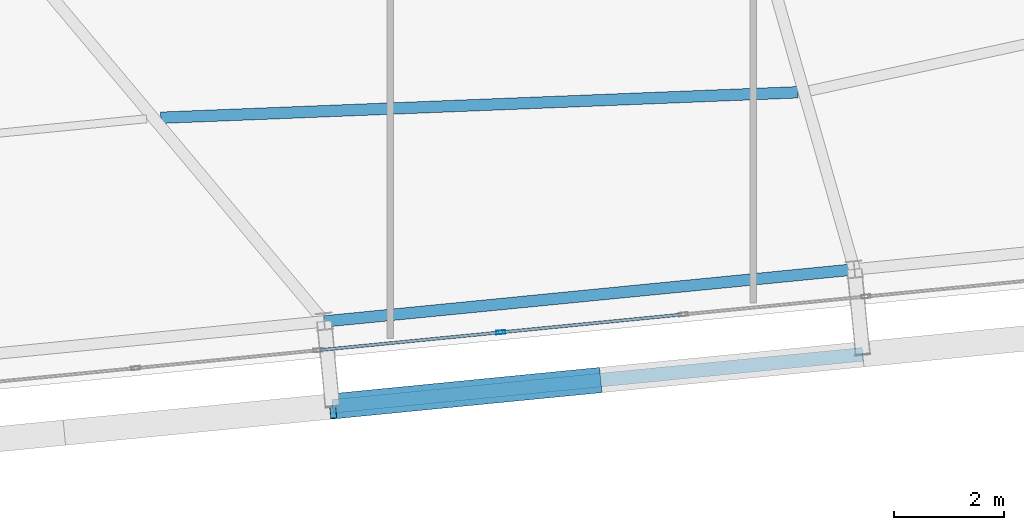
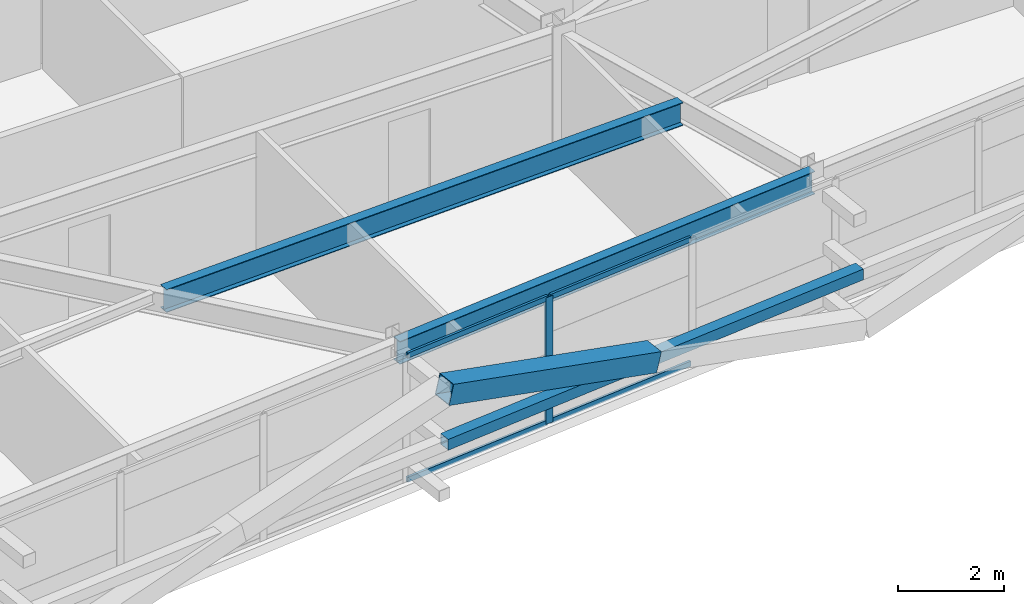
# One storey, part 11 of 52: 7 members, 2 beams, 1 element without a shape of its own.
"""IFC4 building model written with IfcOpenShell, lengths in metres."""

from ifc_helpers import new_model, si_unit, direction, frame, origin, origin_2d, place, context, subcontext, project, spatial, hollow_rectangle, i_section, extrude, source, transform, mapped, material, layer, layer_set, material_profile, profile_set, type_object, element, aggregate, save


model = new_model("IFC4")

# Units and contexts
model_context = context("Model", 3, precision=1e-05, world=origin(), true_north=direction((0.0, 1.0)))
body_context = subcontext(model_context, "Body", "Model", "MODEL_VIEW")
ifc_project = project(units=[si_unit("LENGTHUNIT", "METRE"), si_unit("AREAUNIT", "SQUARE_METRE"), si_unit("VOLUMEUNIT", "CUBIC_METRE"), si_unit("PLANEANGLEUNIT", "RADIAN"), si_unit("MASSUNIT", "GRAM", prefix="KILO")], contexts=[model_context])

# Site, building, storey
site_placement = place(None, origin())
site = spatial("IfcSite", under=ifc_project, at=site_placement, CompositionType="ELEMENT")
building_placement = place(site_placement, origin())
building = spatial("IfcBuilding", under=site, at=building_placement, Name="Taldren Reach Tower", CompositionType="ELEMENT")
storey_placement = place(building_placement, frame((0.0, 0.0, 77.699951171875)))
storey = spatial("IfcBuildingStorey", under=building, at=storey_placement, Name="L23", CompositionType="ELEMENT", Elevation=77.699951171875)

# Beams
ifc_material_1 = material(Name="Steel Gr 350 (350PLUS)", Category="steel")
ifc_material_profile_1 = material_profile(ifc_material_1, i_section(OverallWidth=0.208984375, OverallDepth=0.528076171875, WebThickness=0.009521484375, FlangeThickness=0.01318359375, at=origin_2d()), Name="530UB82.0")
ifc_profile_set_1 = profile_set([ifc_material_profile_1], Name="Steel Gr 350 (350PLUS)")
beam_type_1 = type_object("IfcBeamType", Name="SP-UB530B", PredefinedType="SPANDREL", material=ifc_profile_set_1)
shared_shape_1 = source(origin(), body_context, "Body", "SweptSolid", [
    extrude(i_section(OverallWidth=0.208984375, OverallDepth=0.528076171875, WebThickness=0.009521484375, FlangeThickness=0.01318359375, at=origin_2d()), origin(), (0.0, 0.0, 1.0), 9.679931640625),
])
beam_1_placement = place(storey_placement, frame((34.20166015625, 1.809326171875, 2.666015625), z_axis=(0.995227612658, 0.097580730699, 0.0), x_axis=(-0.097580730699, 0.995227612658, 0.0)))
element("IfcBeam", 1, at=beam_1_placement, inside=storey, type_object=beam_type_1, Name="Perimeter spandrel B2 S3-S4 L23", PredefinedType="SPANDREL", context=body_context, shape_type="MappedRepresentation", body=[
    mapped(shared_shape_1, transform((0.0, 0.0, 0.0), scale=1.0)),
])
ifc_material_profile_2 = material_profile(ifc_material_1, i_section(OverallWidth=0.208984375, OverallDepth=0.532958984375, WebThickness=0.01025390625, FlangeThickness=0.015625, at=origin_2d()), Name="530UB92.4")
ifc_profile_set_2 = profile_set([ifc_material_profile_2], Name="Steel Gr 350 (350PLUS)")
beam_type_2 = type_object("IfcBeamType", Name="BM-UB530A", PredefinedType="BEAM", material=ifc_profile_set_2)
shared_shape_2 = source(origin(), body_context, "Body", "SweptSolid", [
    extrude(i_section(OverallWidth=0.208984375, OverallDepth=0.532958984375, WebThickness=0.01025390625, FlangeThickness=0.015625, at=origin_2d()), origin(), (0.0, 0.0, 1.0), 11.586669921875),
])
beam_2_placement = place(storey_placement, frame((31.23291015625, 5.510009765625, 2.66357421875), z_axis=(0.999202506312, 0.039929329821, 0.0), x_axis=(-0.039929329821, 0.999202506312, 0.0)))
element("IfcBeam", 2, at=beam_2_placement, inside=storey, type_object=beam_type_2, Name="Secondary floor beam B2 J3 L23", PredefinedType="BEAM", context=body_context, shape_type="MappedRepresentation", body=[
    mapped(shared_shape_2, transform((0.0, 0.0, 0.0), scale=1.0)),
])

# Members
ifc_material_2 = material(Name="Steel Gr 450 (C450L0)", Category="steel")
ifc_material_profile_3 = material_profile(ifc_material_2, hollow_rectangle(XDim=0.4599609375, YDim=0.4599609375, WallThickness=0.01611328125, at=origin_2d()), Name="460x460x16.0SHS")
ifc_profile_set_3 = profile_set([ifc_material_profile_3], Name="Steel Gr 450 (C450L0)")
member_type_1 = type_object("IfcMemberType", Name="MB-EXO457", PredefinedType="BRACE", material=ifc_profile_set_3)
shared_shape_3 = source(origin(), body_context, "Body", "SweptSolid", [
    extrude(hollow_rectangle(XDim=0.4599609375, YDim=0.4599609375, WallThickness=0.01611328125, at=origin_2d()), origin(), (0.0, 0.0, 1.0), 4.990234375),
])
member_1_placement = place(storey_placement, frame((39.169921875, 0.739013671875, 1.43505859375), z_axis=(-0.965271056716, -0.094667992638, 0.243494883389), x_axis=(0.097605711627, -0.995225162995, 0.0)))
element("IfcMember", 3, at=member_1_placement, inside=storey, type_object=member_type_1, Name="Exoskeleton Diagrid Brace B2-S3 L23", PredefinedType="BRACE", context=body_context, shape_type="MappedRepresentation", body=[
    mapped(shared_shape_3, transform((0.0, 0.0, 0.0), scale=1.0)),
])
ifc_material_3 = material(Name="Steel Gr 350 (C350L0)", Category="steel")
ifc_material_profile_4 = material_profile(ifc_material_3, hollow_rectangle(XDim=0.25, YDim=0.25, WallThickness=0.010009765625, at=origin_2d()), Name="250x250x10.0SHS")
ifc_profile_set_4 = profile_set([ifc_material_profile_4], Name="Steel Gr 350 (C350L0)")
member_type_2 = type_object("IfcMemberType", Name="MB-POST250", PredefinedType="POST", material=ifc_profile_set_4)
shared_shape_4 = source(origin(), body_context, "Body", "SweptSolid", [
    extrude(hollow_rectangle(XDim=0.25, YDim=0.25, WallThickness=0.010009765625, at=origin_2d()), origin(), (0.0, 0.0, 1.0), 9.679931640625),
])
member_2_placement = place(storey_placement, frame((34.35302734375, 0.2666015625, 1.43505859375), z_axis=(0.995225162995, 0.097605711627, 0.0), x_axis=(-0.097605711627, 0.995225162995, 0.0)))
element("IfcMember", 4, at=member_2_placement, inside=storey, type_object=member_type_2, Name="Exoskeleton mid-height ring chord B2-S3 L23", PredefinedType="POST", context=body_context, shape_type="MappedRepresentation", body=[
    mapped(shared_shape_4, transform((0.0, 0.0, 0.0), scale=1.0)),
])

# Curtain wall, members
ifc_material_4 = material(Name="Aluminium and Low-E Glass Unitised System", Category="aluminium")
ifc_layer = layer(ifc_material_4, 0.159912109375)
ifc_layer_set = layer_set([ifc_layer], Name="Aluminium and Low-E Glass Unitised System")
curtain_wall_type = type_object("IfcCurtainWallType", Name="CW-SYS-3", PredefinedType="NOTDEFINED", material=ifc_layer_set)
curtain_wall_placement = place(storey_placement, origin())
curtain_wall = element("IfcCurtainWall", 5, at=curtain_wall_placement, inside=storey, type_object=curtain_wall_type, Name="Unitised curtain wall CW-L23-S", PredefinedType="NOTDEFINED")
ifc_material_5 = material(Name="Anodised Aluminium 6063-T6", Category="aluminium")
ifc_material_profile_5 = material_profile(ifc_material_5, hollow_rectangle(XDim=0.06494140625, YDim=0.1650390625, WallThickness=0.00390625, at=origin_2d()), Name="ALU-165x65x4RHS")
ifc_profile_set_5 = profile_set([ifc_material_profile_5], Name="Anodised Aluminium 6063-T6")
member_type_3 = type_object("IfcMemberType", Name="CW-MUL-165", PredefinedType="MULLION", material=ifc_profile_set_5)
shared_shape_5 = source(origin(), body_context, "Body", "SweptSolid", [
    extrude(hollow_rectangle(XDim=0.06494140625, YDim=0.1650390625, WallThickness=0.00390625, at=origin_2d()), origin(), (0.0, 0.0, 1.0), 2.929931640625),
])
member_3_placement = place(storey_placement, frame((37.40966796875, 1.611328125, 0.0), z_axis=(0.0, 0.0, 1.0), x_axis=(-0.097582999046, 0.995227390247, 0.0)))
member_3 = element("IfcMember", 6, at=member_3_placement, type_object=member_type_3, Name="CW-3 mullion 8", PredefinedType="MULLION", context=body_context, shape_type="MappedRepresentation", body=[
    mapped(shared_shape_5, transform((0.0, 0.0, 0.0), scale=1.0)),
])
ifc_material_profile_6 = material_profile(ifc_material_5, hollow_rectangle(XDim=0.054931640625, YDim=0.1201171875, WallThickness=0.0029296875, at=origin_2d()), Name="ALU-120x55x3RHS")
ifc_profile_set_6 = profile_set([ifc_material_profile_6], Name="Anodised Aluminium 6063-T6")
member_type_4 = type_object("IfcMemberType", Name="CW-TRN-135", PredefinedType="USERDEFINED", material=ifc_profile_set_6)
shared_shape_6 = source(origin(), body_context, "Body", "SweptSolid", [
    extrude(hollow_rectangle(XDim=0.054931640625, YDim=0.1201171875, WallThickness=0.0029296875, at=origin_2d()), origin(), (0.0, 0.0, 1.0), 3.268310546875),
])
member_4_placement = place(storey_placement, frame((34.124755859375, 1.289306640625, 0.027587890625), z_axis=(0.99522980512, 0.097558367146, 0.0), x_axis=(-0.097558367146, 0.99522980512, 0.0)))
member_4 = element("IfcMember", 7, at=member_4_placement, type_object=member_type_4, Name="CW-3 transom 7.1", ObjectType="TRANSOM", PredefinedType="USERDEFINED", context=body_context, shape_type="MappedRepresentation", body=[
    mapped(shared_shape_6, transform((0.0, 0.0, 0.0), scale=1.0)),
])
member_5_placement = place(storey_placement, frame((34.124755859375, 1.289306640625, 2.902587890625), z_axis=(0.99522980512, 0.097558367146, 0.0), x_axis=(-0.097558367146, 0.99522980512, 0.0)))
member_5 = element("IfcMember", 8, at=member_5_placement, type_object=member_type_4, Name="CW-3 transom 7.2", ObjectType="TRANSOM", PredefinedType="USERDEFINED", context=body_context, shape_type="MappedRepresentation", body=[
    mapped(shared_shape_6, transform((0.0, 0.0, 0.0), scale=1.0)),
])
member_6_placement = place(storey_placement, frame((37.442138671875, 1.614501953125, 0.027587890625), z_axis=(0.995222549564, 0.097632355496, 0.0), x_axis=(-0.097632355496, 0.995222549564, 0.0)))
member_6 = element("IfcMember", 9, at=member_6_placement, type_object=member_type_4, Name="CW-3 transom 8.1", ObjectType="TRANSOM", PredefinedType="USERDEFINED", context=body_context, shape_type="MappedRepresentation", body=[
    mapped(shared_shape_6, transform((0.0, 0.0, 0.0), scale=1.0)),
])
member_7_placement = place(storey_placement, frame((37.442138671875, 1.614501953125, 2.902587890625), z_axis=(0.995222549564, 0.097632355496, 0.0), x_axis=(-0.097632355496, 0.995222549564, 0.0)))
member_7 = element("IfcMember", 10, at=member_7_placement, type_object=member_type_4, Name="CW-3 transom 8.2", ObjectType="TRANSOM", PredefinedType="USERDEFINED", context=body_context, shape_type="MappedRepresentation", body=[
    mapped(shared_shape_6, transform((0.0, 0.0, 0.0), scale=1.0)),
])
aggregate(curtain_wall, [member_3, member_4, member_5, member_6, member_7])

save(model, "model.ifc")
